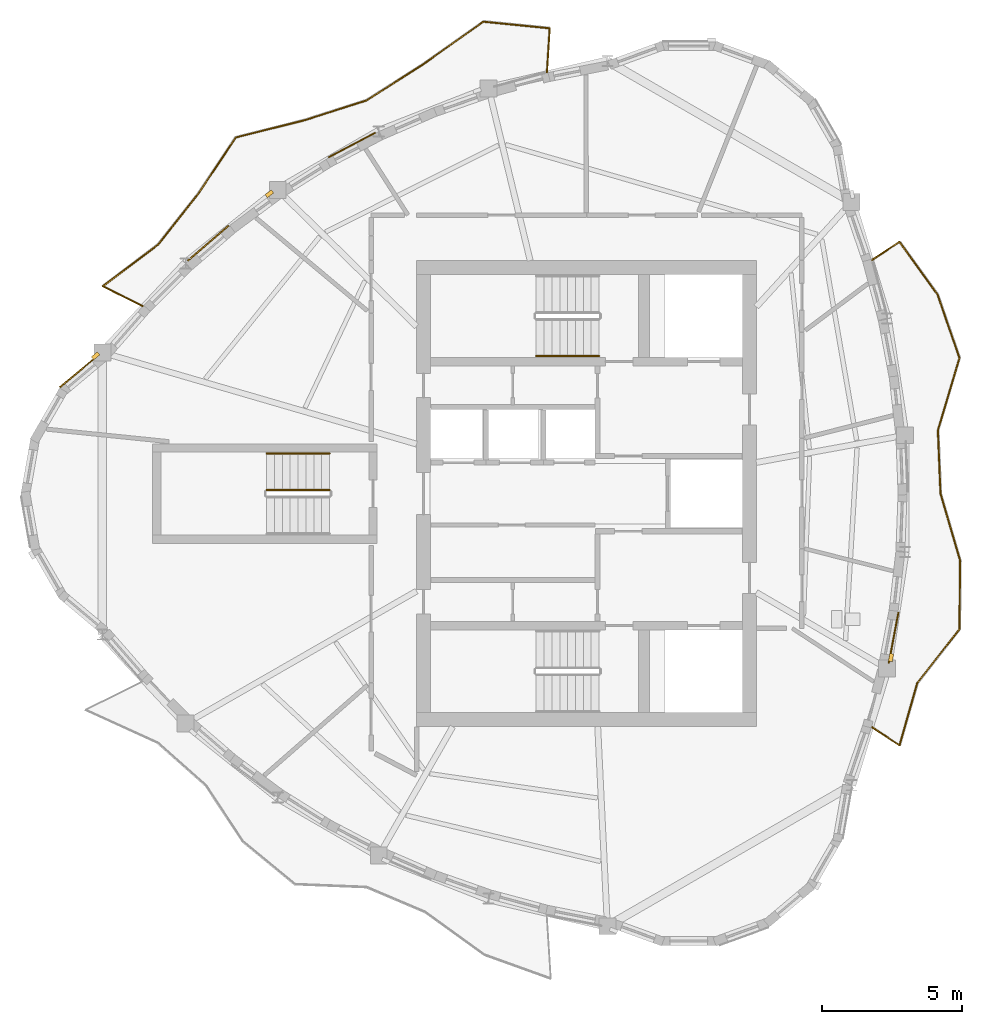
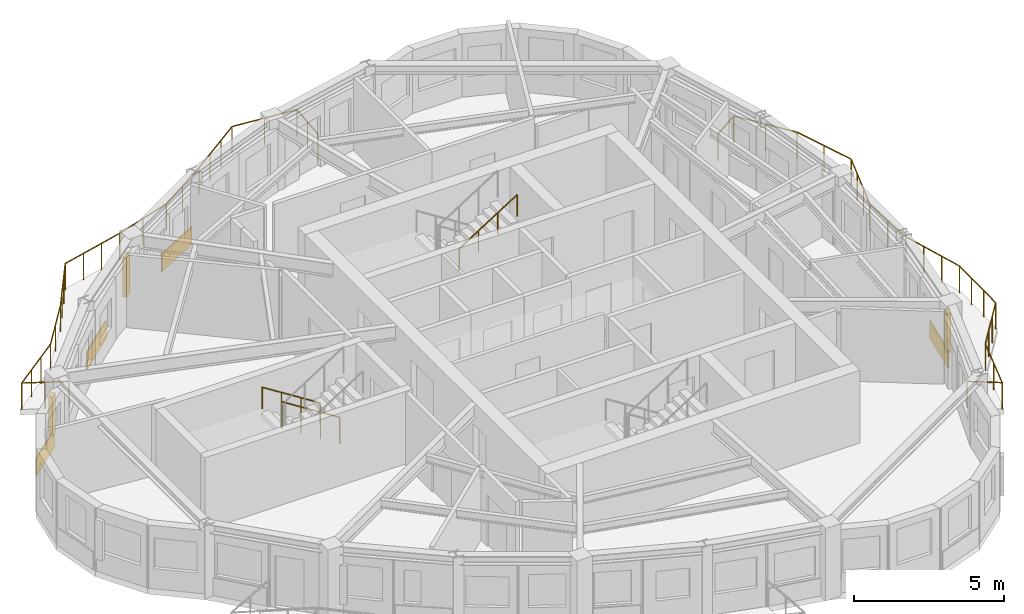
# One storey, part 9 of 11: 5 railings, 4 coverings, 3 shading devices.
"""IFC4 building model written with IfcOpenShell, lengths in metres."""

from ifc_helpers import new_model, si_unit, direction, frame, origin, origin_2d, place, context, subcontext, project, spatial, rectangle, circle, extrude, source, transform, mapped, material, layer, layer_set, type_object, element, save


model = new_model("IFC4")

# Units and contexts
model_context = context("Model", 3, precision=1e-05, world=origin(), true_north=direction((0.0, 1.0)))
body_context = subcontext(model_context, "Body", "Model", "MODEL_VIEW")
ifc_project = project(units=[si_unit("LENGTHUNIT", "METRE"), si_unit("AREAUNIT", "SQUARE_METRE"), si_unit("VOLUMEUNIT", "CUBIC_METRE"), si_unit("PLANEANGLEUNIT", "RADIAN"), si_unit("MASSUNIT", "GRAM", prefix="KILO")], contexts=[model_context])

# Site, building, storey
site_placement = place(None, origin())
site = spatial("IfcSite", under=ifc_project, at=site_placement, CompositionType="ELEMENT")
building_placement = place(site_placement, origin())
building = spatial("IfcBuilding", under=site, at=building_placement, Name="Qafzar Sky-Pleat Residences", CompositionType="ELEMENT")
storey_placement = place(building_placement, frame((0.0, 0.0, 234.0)))
storey = spatial("IfcBuildingStorey", under=building, at=storey_placement, Name="L70", CompositionType="ELEMENT", Elevation=234.0)

# Shading devices
ifc_material_1 = material(Name="Honed Riyadh limestone solar fin", Category="masonry")
ifc_layer_1 = layer(ifc_material_1, 0.139892578125)
ifc_layer_set_1 = layer_set([ifc_layer_1], Name="Honed Riyadh limestone solar fin")
shading_device_type = type_object("IfcShadingDeviceType", Name="SHD-FIN-STONE", PredefinedType="SHUTTER", material=ifc_layer_set_1)
shared_shape_1 = source(origin(), body_context, "Body", "SweptSolid", [
    extrude(rectangle(XDim=0.139892578125, YDim=0.280029296875, at=origin_2d()), origin(), (0.0, 0.0, 1.0), 1.60009765625),
])
for number, where, z_axis, x_axis, name in (
    (1, (12.8681640625, 30.90478515625, 0.599853515625), (0.0, 0.0, 1.0), (-0.642754210861, 0.76607246682, 0.0), "L70 Limestone Solar Fin 1"),
    (2, (41.1982421875, 20.161376953125, 0.599853515625), (0.0, 0.0, 1.0), (0.982430784042, -0.186627314633, 0.0), "L70 Limestone Solar Fin 25"),
    (3, (19.059814453125, 36.677490234375, 0.599853515625), (0.0, 0.0, 1.0), (-0.594881956884, 0.803813073652, 0.0), "L70 Limestone Solar Fin 45"),
):
    element("IfcShadingDevice", number, at=place(storey_placement, frame(where, z_axis=z_axis, x_axis=x_axis)), inside=storey, type_object=shading_device_type, Name=name, PredefinedType="SHUTTER", context=body_context, shape_type="MappedRepresentation", body=[
        mapped(shared_shape_1, transform((0.0, 0.0, 0.0), x_axis=(1.0, 0.0, 0.0), y_axis=(0.0, 1.0, 0.0), z_axis=(0.0, 0.0, 1.0), scale=1.0)),
    ])

# Covering
ifc_material_2 = material(Name="Honed Riyadh Tuwaiq limestone cladding", Category="masonry")
ifc_layer_2 = layer(ifc_material_2, 0.044921875)
ifc_layer_set_2 = layer_set([ifc_layer_2], Name="Honed Riyadh Tuwaiq limestone cladding")
covering_type = type_object("IfcCoveringType", Name="COV-CLAD-STONE", PredefinedType="CLADDING", material=ifc_layer_set_2)
shared_shape_2 = source(origin(), body_context, "Body", "SweptSolid", [
    extrude(rectangle(XDim=1.76611328125, YDim=0.044921875, at=origin_2d()), origin(), (0.0, 0.0, 1.0), 0.719970703125),
])
covering_1_placement = place(storey_placement, frame((12.275390625, 30.351318359375, 0.02001953125), z_axis=(0.0, 0.0, 1.0), x_axis=(-0.76607417096, -0.642752179762, 0.0)))
element("IfcCovering", 4, at=covering_1_placement, inside=storey, type_object=covering_type, Name="L70 Riyadh Limestone Spandrel Cladding 1", PredefinedType="CLADDING", context=body_context, shape_type="MappedRepresentation", body=[
    mapped(shared_shape_2, transform((0.0, 0.0, 0.0), x_axis=(1.0, 0.0, 0.0), y_axis=(0.0, 1.0, 0.0), z_axis=(0.0, 0.0, 1.0), scale=1.0)),
])

# Railings
ifc_material_3 = material(Name="Laminated glass and bronze steel balustrade", Category="steel")
railing_type_1 = type_object("IfcRailingType", Name="RAIL-BAL-1100", PredefinedType="BALUSTRADE", material=ifc_material_3)
shared_shape_3 = source(origin(), body_context, "Body", "SweptSolid", [
    extrude(circle(Radius=0.02392578125, at=origin_2d()), frame((0.0, 0.0, 1.076171875), z_axis=(0.832941990443, -0.553360317114, 0.0), x_axis=(0.553360317114, 0.832941990443, 0.0)), (0.0, 0.0, 1.0), 1.177978515625),
    extrude(circle(Radius=0.02392578125, at=origin_2d()), frame((0.981201171875, -0.65185546875, 1.076171875), z_axis=(0.274804820115, 0.961500031639, 0.0), x_axis=(-0.961500031639, 0.274804820115, 0.0)), (0.0, 0.0, 1.0), 2.311767578125),
    extrude(circle(Radius=0.02392578125, at=origin_2d()), frame((1.616455078125, 1.57080078125, 1.076171875), z_axis=(0.616921962432, 0.787024327622, 0.0), x_axis=(-0.787024327622, 0.616921962432, 0.0)), (0.0, 0.0, 1.0), 2.43408203125),
    extrude(circle(Radius=0.02392578125, at=origin_2d()), frame((3.1181640625, 3.486572265625, 1.076171875), z_axis=(0.009459843576, 0.999955254679, 0.0), x_axis=(-0.999955254679, 0.009459843576, 0.0)), (0.0, 0.0, 1.0), 2.45166015625),
    extrude(circle(Radius=0.02392578125, at=origin_2d()), frame((3.141357421875, 5.938232421875, 1.076171875), z_axis=(-0.282123613587, 0.959378062422, 0.0), x_axis=(-0.959378062422, -0.282123613587, 0.0)), (0.0, 0.0, 1.0), 2.475830078125),
    extrude(circle(Radius=0.02392578125, at=origin_2d()), frame((2.44287109375, 8.3134765625, 1.076171875), z_axis=(-0.04099614339, 0.999159304729, 0.0), x_axis=(-0.999159304729, -0.04099614339, 0.0)), (0.0, 0.0, 1.0), 2.257080078125),
    extrude(circle(Radius=0.02392578125, at=origin_2d()), frame((2.350341796875, 10.568603515625, 1.076171875), z_axis=(0.28607915641, 0.958205988432, 0.0), x_axis=(-0.958205988432, 0.28607915641, 0.0)), (0.0, 0.0, 1.0), 2.683837890625),
    extrude(circle(Radius=0.02392578125, at=origin_2d()), frame((3.1181640625, 13.140380859375, 1.076171875), z_axis=(-0.326044180463, 0.945354532642, 0.0), x_axis=(-0.945354532642, -0.326044180463, 0.0)), (0.0, 0.0, 1.0), 2.390869140625),
    extrude(circle(Radius=0.02392578125, at=origin_2d()), frame((2.338623046875, 15.400634765625, 1.076171875), z_axis=(-0.58576362681, 0.810481939038, 0.0), x_axis=(-0.810481939038, -0.58576362681, 0.0)), (0.0, 0.0, 1.0), 2.3173828125),
    extrude(circle(Radius=0.02392578125, at=origin_2d()), frame((0.981201171875, 17.27880859375, 1.076171875), z_axis=(-0.832941990443, -0.553360317114, 0.0), x_axis=(0.553360317114, -0.832941990443, 0.0)), (0.0, 0.0, 1.0), 1.177978515625),
    extrude(circle(Radius=0.02099609375, at=origin_2d()), origin(), (0.0, 0.0, 1.0), 1.052001953125),
    extrude(circle(Radius=0.02099609375, at=origin_2d()), frame((0.981201171875, -0.65185546875, 0.0)), (0.0, 0.0, 1.0), 1.052001953125),
    extrude(circle(Radius=0.02099609375, at=origin_2d()), frame((1.298828125, 0.45947265625, 0.0)), (0.0, 0.0, 1.0), 1.052001953125),
    extrude(circle(Radius=0.02099609375, at=origin_2d()), frame((1.616455078125, 1.57080078125, 0.0)), (0.0, 0.0, 1.0), 1.052001953125),
    extrude(circle(Radius=0.02099609375, at=origin_2d()), frame((2.116943359375, 2.20947265625, 0.0)), (0.0, 0.0, 1.0), 1.052001953125),
    extrude(circle(Radius=0.02099609375, at=origin_2d()), frame((2.61767578125, 2.847900390625, 0.0)), (0.0, 0.0, 1.0), 1.052001953125),
    extrude(circle(Radius=0.02099609375, at=origin_2d()), frame((3.1181640625, 3.486572265625, 0.0)), (0.0, 0.0, 1.0), 1.052001953125),
    extrude(circle(Radius=0.02099609375, at=origin_2d()), frame((3.1259765625, 4.3037109375, 0.0)), (0.0, 0.0, 1.0), 1.052001953125),
    extrude(circle(Radius=0.02099609375, at=origin_2d()), frame((3.133544921875, 5.12109375, 0.0)), (0.0, 0.0, 1.0), 1.052001953125),
    extrude(circle(Radius=0.02099609375, at=origin_2d()), frame((3.141357421875, 5.938232421875, 0.0)), (0.0, 0.0, 1.0), 1.052001953125),
    extrude(circle(Radius=0.02099609375, at=origin_2d()), frame((2.908447265625, 6.72998046875, 0.0)), (0.0, 0.0, 1.0), 1.052001953125),
    extrude(circle(Radius=0.02099609375, at=origin_2d()), frame((2.67578125, 7.521728515625, 0.0)), (0.0, 0.0, 1.0), 1.052001953125),
    extrude(circle(Radius=0.02099609375, at=origin_2d()), frame((2.44287109375, 8.3134765625, 0.0)), (0.0, 0.0, 1.0), 1.052001953125),
    extrude(circle(Radius=0.02099609375, at=origin_2d()), frame((2.396484375, 9.44091796875, 0.0)), (0.0, 0.0, 1.0), 1.052001953125),
    extrude(circle(Radius=0.02099609375, at=origin_2d()), frame((2.350341796875, 10.568603515625, 0.0)), (0.0, 0.0, 1.0), 1.052001953125),
    extrude(circle(Radius=0.02099609375, at=origin_2d()), frame((2.606201171875, 11.42578125, 0.0)), (0.0, 0.0, 1.0), 1.052001953125),
    extrude(circle(Radius=0.02099609375, at=origin_2d()), frame((2.8623046875, 12.283203125, 0.0)), (0.0, 0.0, 1.0), 1.052001953125),
    extrude(circle(Radius=0.02099609375, at=origin_2d()), frame((3.1181640625, 13.140380859375, 0.0)), (0.0, 0.0, 1.0), 1.052001953125),
    extrude(circle(Radius=0.02099609375, at=origin_2d()), frame((2.728515625, 14.2705078125, 0.0)), (0.0, 0.0, 1.0), 1.052001953125),
    extrude(circle(Radius=0.02099609375, at=origin_2d()), frame((2.338623046875, 15.400634765625, 0.0)), (0.0, 0.0, 1.0), 1.052001953125),
    extrude(circle(Radius=0.02099609375, at=origin_2d()), frame((1.659912109375, 16.33984375, 0.0)), (0.0, 0.0, 1.0), 1.052001953125),
    extrude(circle(Radius=0.02099609375, at=origin_2d()), frame((0.981201171875, 17.27880859375, 0.0)), (0.0, 0.0, 1.0), 1.052001953125),
    extrude(circle(Radius=0.02099609375, at=origin_2d()), frame((0.0, 16.626953125, 0.0)), (0.0, 0.0, 1.0), 1.052001953125),
])
railing_1_placement = place(storey_placement, frame((40.51513671875, 17.6865234375, 0.0)))
element("IfcRailing", 5, at=railing_1_placement, inside=storey, type_object=railing_type_1, Name="L70 Pleated Balcony 1 Balustrade", PredefinedType="BALUSTRADE", context=body_context, shape_type="MappedRepresentation", body=[
    mapped(shared_shape_3, transform((0.0, 0.0, 0.0), x_axis=(1.0, 0.0, 0.0), y_axis=(0.0, 1.0, 0.0), z_axis=(0.0, 0.0, 1.0), scale=1.0)),
])
shared_shape_4 = source(origin(), body_context, "Body", "SweptSolid", [
    extrude(circle(Radius=0.02392578125, at=origin_2d()), frame((0.0, 0.0, 1.076171875), z_axis=(0.062657604735, 0.998035081833, 0.0), x_axis=(-0.998035081833, 0.062657604735, 0.0)), (0.0, 0.0, 1.0), 1.578125),
    extrude(circle(Radius=0.02392578125, at=origin_2d()), frame((0.098876953125, 1.574951171875, 1.076171875), z_axis=(-0.995050421946, 0.099371312685, 0.0), x_axis=(-0.099371312685, -0.995050421946, 0.0)), (0.0, 0.0, 1.0), 2.373291015625),
    extrude(circle(Radius=0.02392578125, at=origin_2d()), frame((-2.2626953125, 1.810791015625, 1.076171875), z_axis=(-0.816384894567, -0.577508185157, 0.0), x_axis=(0.577508185157, -0.816384894567, 0.0)), (0.0, 0.0, 1.0), 2.648193359375),
    extrude(circle(Radius=0.02392578125, at=origin_2d()), frame((-4.424560546875, 0.281494140625, 1.076171875), z_axis=(-0.842824773655, -0.538188072066, 0.0), x_axis=(0.538188072066, -0.842824773655, 0.0)), (0.0, 0.0, 1.0), 2.369873046875),
    extrude(circle(Radius=0.02392578125, at=origin_2d()), frame((-6.421875, -0.993896484375, 1.076171875), z_axis=(-0.952747816734, -0.303762403382, 0.0), x_axis=(0.303762403382, -0.952747816734, 0.0)), (0.0, 0.0, 1.0), 2.308349609375),
    extrude(circle(Radius=0.02392578125, at=origin_2d()), frame((-8.62109375, -1.695068359375, 1.076171875), z_axis=(-0.969892452892, -0.24353363181, 0.0), x_axis=(0.24353363181, -0.969892452892, 0.0)), (0.0, 0.0, 1.0), 2.5322265625),
    extrude(circle(Radius=0.02392578125, at=origin_2d()), frame((-11.0771484375, -2.311767578125, 1.076171875), z_axis=(-0.555023477962, -0.831834682441, 0.0), x_axis=(0.831834682441, -0.555023477962, 0.0)), (0.0, 0.0, 1.0), 2.439453125),
    extrude(circle(Radius=0.02392578125, at=origin_2d()), frame((-12.43115234375, -4.341064453125, 1.076171875), z_axis=(-0.621031998017, -0.783785211291, 0.0), x_axis=(0.783785211291, -0.621031998017, 0.0)), (0.0, 0.0, 1.0), 2.280029296875),
    extrude(circle(Radius=0.02392578125, at=origin_2d()), frame((-13.84716796875, -6.128173828125, 1.076171875), z_axis=(-0.798188250997, -0.60240809753, 0.0), x_axis=(0.60240809753, -0.798188250997, 0.0)), (0.0, 0.0, 1.0), 2.462890625),
    extrude(circle(Radius=0.02392578125, at=origin_2d()), frame((-15.81298828125, -7.61181640625, 1.076171875), z_axis=(0.895661295067, -0.444736826134, 0.0), x_axis=(0.444736826134, 0.895661295067, 0.0)), (0.0, 0.0, 1.0), 1.578125),
    extrude(circle(Radius=0.02099609375, at=origin_2d()), origin(), (0.0, 0.0, 1.0), 1.052001953125),
    extrude(circle(Radius=0.02099609375, at=origin_2d()), frame((0.04931640625, 0.78759765625, 0.0)), (0.0, 0.0, 1.0), 1.052001953125),
    extrude(circle(Radius=0.02099609375, at=origin_2d()), frame((0.098876953125, 1.574951171875, 0.0)), (0.0, 0.0, 1.0), 1.052001953125),
    extrude(circle(Radius=0.02099609375, at=origin_2d()), frame((-1.08203125, 1.69287109375, 0.0)), (0.0, 0.0, 1.0), 1.052001953125),
    extrude(circle(Radius=0.02099609375, at=origin_2d()), frame((-2.2626953125, 1.810791015625, 0.0)), (0.0, 0.0, 1.0), 1.052001953125),
    extrude(circle(Radius=0.02099609375, at=origin_2d()), frame((-2.9833984375, 1.301025390625, 0.0)), (0.0, 0.0, 1.0), 1.052001953125),
    extrude(circle(Radius=0.02099609375, at=origin_2d()), frame((-3.703857421875, 0.791259765625, 0.0)), (0.0, 0.0, 1.0), 1.052001953125),
    extrude(circle(Radius=0.02099609375, at=origin_2d()), frame((-4.424560546875, 0.281494140625, 0.0)), (0.0, 0.0, 1.0), 1.052001953125),
    extrude(circle(Radius=0.02099609375, at=origin_2d()), frame((-5.42333984375, -0.356201171875, 0.0)), (0.0, 0.0, 1.0), 1.052001953125),
    extrude(circle(Radius=0.02099609375, at=origin_2d()), frame((-6.421875, -0.993896484375, 0.0)), (0.0, 0.0, 1.0), 1.052001953125),
    extrude(circle(Radius=0.02099609375, at=origin_2d()), frame((-7.521484375, -1.344482421875, 0.0)), (0.0, 0.0, 1.0), 1.052001953125),
    extrude(circle(Radius=0.02099609375, at=origin_2d()), frame((-8.62109375, -1.695068359375, 0.0)), (0.0, 0.0, 1.0), 1.052001953125),
    extrude(circle(Radius=0.02099609375, at=origin_2d()), frame((-9.439697265625, -1.900634765625, 0.0)), (0.0, 0.0, 1.0), 1.052001953125),
    extrude(circle(Radius=0.02099609375, at=origin_2d()), frame((-10.258544921875, -2.106201171875, 0.0)), (0.0, 0.0, 1.0), 1.052001953125),
    extrude(circle(Radius=0.02099609375, at=origin_2d()), frame((-11.0771484375, -2.311767578125, 0.0)), (0.0, 0.0, 1.0), 1.052001953125),
    extrude(circle(Radius=0.02099609375, at=origin_2d()), frame((-11.528564453125, -2.98828125, 0.0)), (0.0, 0.0, 1.0), 1.052001953125),
    extrude(circle(Radius=0.02099609375, at=origin_2d()), frame((-11.979736328125, -3.66455078125, 0.0)), (0.0, 0.0, 1.0), 1.052001953125),
    extrude(circle(Radius=0.02099609375, at=origin_2d()), frame((-12.43115234375, -4.341064453125, 0.0)), (0.0, 0.0, 1.0), 1.052001953125),
    extrude(circle(Radius=0.02099609375, at=origin_2d()), frame((-13.13916015625, -5.234619140625, 0.0)), (0.0, 0.0, 1.0), 1.052001953125),
    extrude(circle(Radius=0.02099609375, at=origin_2d()), frame((-13.84716796875, -6.128173828125, 0.0)), (0.0, 0.0, 1.0), 1.052001953125),
    extrude(circle(Radius=0.02099609375, at=origin_2d()), frame((-14.50244140625, -6.622802734375, 0.0)), (0.0, 0.0, 1.0), 1.052001953125),
    extrude(circle(Radius=0.02099609375, at=origin_2d()), frame((-15.15771484375, -7.1171875, 0.0)), (0.0, 0.0, 1.0), 1.052001953125),
    extrude(circle(Radius=0.02099609375, at=origin_2d()), frame((-15.81298828125, -7.61181640625, 0.0)), (0.0, 0.0, 1.0), 1.052001953125),
    extrude(circle(Radius=0.02099609375, at=origin_2d()), frame((-15.106201171875, -7.962890625, 0.0)), (0.0, 0.0, 1.0), 1.052001953125),
    extrude(circle(Radius=0.02099609375, at=origin_2d()), frame((-14.3994140625, -8.313720703125, 0.0)), (0.0, 0.0, 1.0), 1.052001953125),
])
railing_2_placement = place(storey_placement, frame((28.942138671875, 40.995361328125, 0.0)))
element("IfcRailing", 6, at=railing_2_placement, inside=storey, type_object=railing_type_1, Name="L70 Pleated Balcony 2 Balustrade", PredefinedType="BALUSTRADE", context=body_context, shape_type="MappedRepresentation", body=[
    mapped(shared_shape_4, transform((0.0, 0.0, 0.0), x_axis=(1.0, 0.0, 0.0), y_axis=(0.0, 1.0, 0.0), z_axis=(0.0, 0.0, 1.0), scale=1.0)),
])

# Coverings
shared_shape_5 = source(origin(), body_context, "Body", "SweptSolid", [
    extrude(rectangle(XDim=1.855712890625, YDim=0.044921875, at=origin_2d()), origin(), (0.0, 0.0, 1.0), 0.719970703125),
])
covering_2_placement = place(storey_placement, frame((41.28857421875, 20.866943359375, 0.02001953125), z_axis=(0.0, 0.0, 1.0), x_axis=(0.186630686813, 0.98243014344, 0.0)))
element("IfcCovering", 7, at=covering_2_placement, inside=storey, type_object=covering_type, Name="L70 Riyadh Limestone Spandrel Cladding 25", PredefinedType="CLADDING", context=body_context, shape_type="MappedRepresentation", body=[
    mapped(shared_shape_5, transform((0.0, 0.0, 0.0), x_axis=(1.0, 0.0, 0.0), y_axis=(0.0, 1.0, 0.0), z_axis=(0.0, 0.0, 1.0), scale=1.0)),
])
shared_shape_6 = source(origin(), body_context, "Body", "SweptSolid", [
    extrude(rectangle(XDim=1.88671875, YDim=0.044921875, at=origin_2d()), origin(), (0.0, 0.0, 1.0), 0.719970703125),
])
covering_3_placement = place(storey_placement, frame((21.9990234375, 38.414306640625, 0.02001953125), z_axis=(0.0, 0.0, 1.0), x_axis=(-0.884363965403, -0.46679800417, 0.0)))
element("IfcCovering", 8, at=covering_3_placement, inside=storey, type_object=covering_type, Name="L70 Riyadh Limestone Spandrel Cladding 43", PredefinedType="CLADDING", context=body_context, shape_type="MappedRepresentation", body=[
    mapped(shared_shape_6, transform((0.0, 0.0, 0.0), x_axis=(1.0, 0.0, 0.0), y_axis=(0.0, 1.0, 0.0), z_axis=(0.0, 0.0, 1.0), scale=1.0)),
])
shared_shape_7 = source(origin(), body_context, "Body", "SweptSolid", [
    extrude(rectangle(XDim=1.918701171875, YDim=0.044921875, at=origin_2d()), origin(), (0.0, 0.0, 1.0), 0.719970703125),
])
covering_4_placement = place(storey_placement, frame((16.8837890625, 34.918701171875, 0.02001953125), z_axis=(0.0, 0.0, 1.0), x_axis=(-0.757495550636, -0.652840325628, 0.0)))
element("IfcCovering", 9, at=covering_4_placement, inside=storey, type_object=covering_type, Name="L70 Riyadh Limestone Spandrel Cladding 46", PredefinedType="CLADDING", context=body_context, shape_type="MappedRepresentation", body=[
    mapped(shared_shape_7, transform((0.0, 0.0, 0.0), x_axis=(1.0, 0.0, 0.0), y_axis=(0.0, 1.0, 0.0), z_axis=(0.0, 0.0, 1.0), scale=1.0)),
])

# Railings
ifc_material_4 = material(Name="Brushed stainless steel handrail", Category="steel")
railing_type_2 = type_object("IfcRailingType", Name="RAIL-STAIR-HAND", PredefinedType="HANDRAIL", material=ifc_material_4)
shared_shape_8 = source(origin(), body_context, "Body", "SweptSolid", [
    extrude(circle(Radius=0.02392578125, at=origin_2d()), frame((0.0, 0.0, 0.8759765625), z_axis=(0.8442293374, 0.0, 0.53598211339), x_axis=(0.0, 1.0, 0.0)), (0.0, 0.0, 1.0), 2.6533203125),
    extrude(circle(Radius=0.02099609375, at=origin_2d()), origin(), (0.0, 0.0, 1.0), 0.851806640625),
    extrude(circle(Radius=0.02099609375, at=origin_2d()), frame((0.74658203125, 0.0, 0.47412109375)), (0.0, 0.0, 1.0), 0.851806640625),
    extrude(circle(Radius=0.02099609375, at=origin_2d()), frame((1.493408203125, 0.0, 0.947998046875)), (0.0, 0.0, 1.0), 0.851806640625),
    extrude(circle(Radius=0.02099609375, at=origin_2d()), frame((2.239990234375, 0.0, 1.422119140625)), (0.0, 0.0, 1.0), 0.851806640625),
])
railing_3_placement = place(storey_placement, frame((28.56005859375, 30.89990234375, 1.77783203125)))
element("IfcRailing", 10, at=railing_3_placement, inside=storey, type_object=railing_type_2, Name="L70 ST2 stair handrail 2", PredefinedType="HANDRAIL", context=body_context, shape_type="MappedRepresentation", body=[
    mapped(shared_shape_8, transform((0.0, 0.0, 0.0), x_axis=(1.0, 0.0, 0.0), y_axis=(0.0, 1.0, 0.0), z_axis=(0.0, 0.0, 1.0), scale=1.0)),
])
ifc_material_5 = material(Name="Painted Steel S355 stair guardrail", Category="steel")
railing_type_3 = type_object("IfcRailingType", Name="RAIL-STAIR-GUARD", PredefinedType="GUARDRAIL", material=ifc_material_5)
shared_shape_9 = source(origin(), body_context, "Body", "SweptSolid", [
    extrude(circle(Radius=0.02392578125, at=origin_2d()), frame((0.0, 0.0, 1.076171875), z_axis=(-0.84418770128, 0.0, 0.536047689118), x_axis=(0.0, -1.0, 0.0)), (0.0, 0.0, 1.0), 2.6533203125),
    extrude(circle(Radius=0.02099609375, at=origin_2d()), origin(), (0.0, 0.0, 1.0), 1.052001953125),
    extrude(circle(Radius=0.02099609375, at=origin_2d()), frame((-0.74658203125, 0.0, 0.47412109375)), (0.0, 0.0, 1.0), 1.052001953125),
    extrude(circle(Radius=0.02099609375, at=origin_2d()), frame((-1.493408203125, 0.0, 0.9482421875)), (0.0, 0.0, 1.0), 1.052001953125),
    extrude(circle(Radius=0.02099609375, at=origin_2d()), frame((-2.239990234375, 0.0, 1.42236328125)), (0.0, 0.0, 1.0), 1.052001953125),
])
railing_4_placement = place(storey_placement, frame((21.199951171875, 26.125, 0.177734375)))
element("IfcRailing", 11, at=railing_4_placement, inside=storey, type_object=railing_type_3, Name="L70 ST3 stair guard 1", PredefinedType="GUARDRAIL", context=body_context, shape_type="MappedRepresentation", body=[
    mapped(shared_shape_9, transform((0.0, 0.0, 0.0), x_axis=(1.0, 0.0, 0.0), y_axis=(0.0, 1.0, 0.0), z_axis=(0.0, 0.0, 1.0), scale=1.0)),
])
shared_shape_10 = source(origin(), body_context, "Body", "SweptSolid", [
    extrude(circle(Radius=0.02392578125, at=origin_2d()), frame((0.0, 0.0, 0.8759765625), z_axis=(-0.84418770128, 0.0, 0.536047689118), x_axis=(0.0, -1.0, 0.0)), (0.0, 0.0, 1.0), 2.6533203125),
    extrude(circle(Radius=0.02099609375, at=origin_2d()), origin(), (0.0, 0.0, 1.0), 0.851806640625),
    extrude(circle(Radius=0.02099609375, at=origin_2d()), frame((-0.74658203125, 0.0, 0.47412109375)), (0.0, 0.0, 1.0), 0.851806640625),
    extrude(circle(Radius=0.02099609375, at=origin_2d()), frame((-1.493408203125, 0.0, 0.9482421875)), (0.0, 0.0, 1.0), 0.851806640625),
    extrude(circle(Radius=0.02099609375, at=origin_2d()), frame((-2.239990234375, 0.0, 1.42236328125)), (0.0, 0.0, 1.0), 0.851806640625),
])
railing_5_placement = place(storey_placement, frame((21.199951171875, 27.425048828125, 0.177734375)))
element("IfcRailing", 12, at=railing_5_placement, inside=storey, type_object=railing_type_2, Name="L70 ST3 stair handrail 1", PredefinedType="HANDRAIL", context=body_context, shape_type="MappedRepresentation", body=[
    mapped(shared_shape_10, transform((0.0, 0.0, 0.0), x_axis=(1.0, 0.0, 0.0), y_axis=(0.0, 1.0, 0.0), z_axis=(0.0, 0.0, 1.0), scale=1.0)),
])

save(model, "model.ifc")
